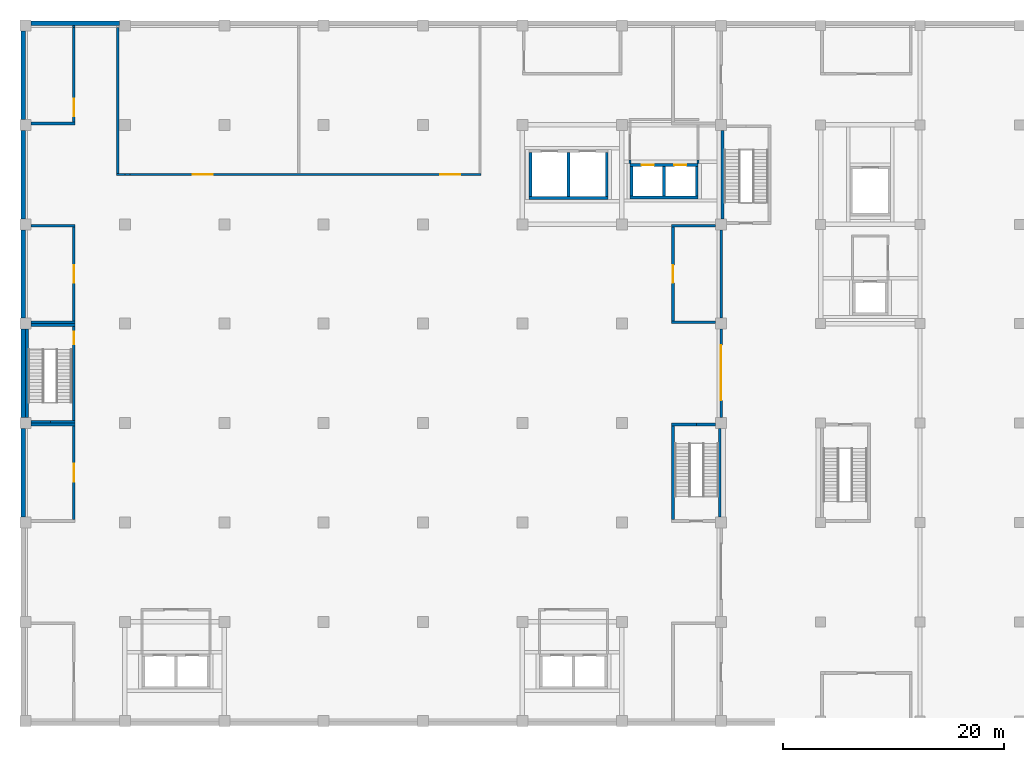
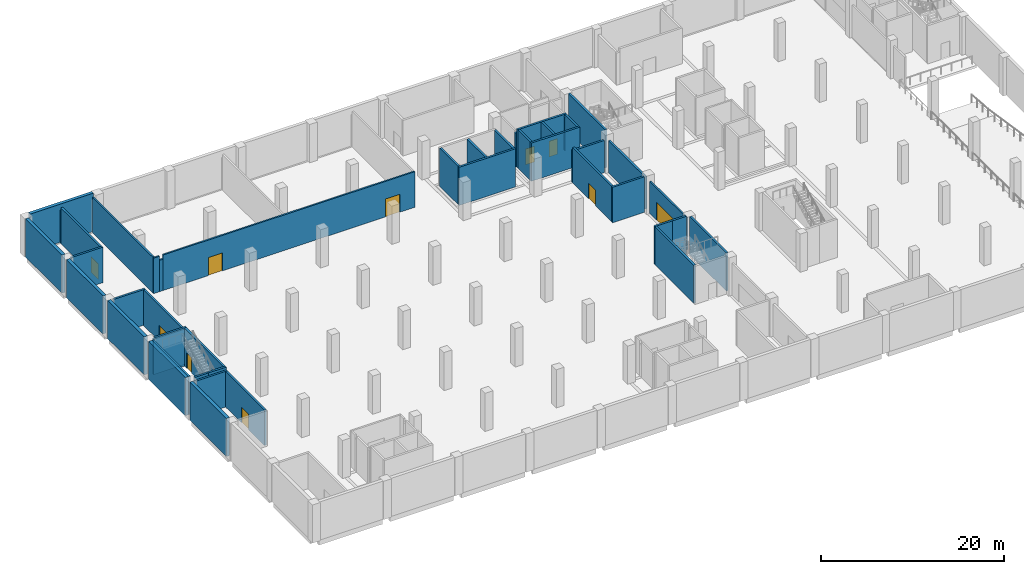
# One storey, part 7 of 16: 44 walls, 10 doors, 10 openings.
"""IFC4 building model written with IfcOpenShell, lengths in metres."""

from ifc_helpers import new_model, si_unit, direction, frame, frame_2d, origin, place, context, subcontext, project, spatial, rectangle, extrude, material, layer, layer_set, type_object, element, fill, save


model = new_model("IFC4")

# Units and contexts
model_context = context("Model", 3, precision=1e-05, world=origin(), true_north=direction((0.0, 1.0)))
body_context = subcontext(model_context, "Body", "Model", "MODEL_VIEW")
ifc_project = project(units=[si_unit("LENGTHUNIT", "METRE"), si_unit("AREAUNIT", "SQUARE_METRE"), si_unit("VOLUMEUNIT", "CUBIC_METRE"), si_unit("PLANEANGLEUNIT", "RADIAN"), si_unit("MASSUNIT", "GRAM", prefix="KILO")], contexts=[model_context])

# Site, building, storey
site_placement = place(None, origin())
site = spatial("IfcSite", under=ifc_project, at=site_placement, CompositionType="ELEMENT")
building_placement = place(site_placement, origin())
building = spatial("IfcBuilding", under=site, at=building_placement, Name="Guidao Yard Department Store", CompositionType="ELEMENT")
storey_placement = place(building_placement, frame((0.0, 0.0, -5.10009765625)))
storey = spatial("IfcBuildingStorey", under=building, at=storey_placement, Name="B1", CompositionType="ELEMENT", Elevation=-5.10009765625)

# Wall, opening, door
ifc_material_1 = material(Name="Autoclaved aerated concrete block A3.5 B06", Category="concrete")
ifc_layer_1 = layer(ifc_material_1, 0.199951171875)
ifc_layer_set_1 = layer_set([ifc_layer_1], Name="Compartment Fire Wall 200 Autoclaved Block EI 180")
wall_type_1 = type_object("IfcWallType", Name="Compartment Fire Wall 200 Autoclaved Block EI 180", PredefinedType="PARTITIONING", material=ifc_layer_set_1)
wall_1_placement = place(storey_placement, frame((63.0, 72.5, 0.0), z_axis=(0.0, 0.0, 1.0), x_axis=(0.0, 1.0, 0.0)))
wall_1 = element("IfcWall", 1, at=wall_1_placement, inside=storey, type_object=wall_type_1, Name="pt.wall.B1.0051", PredefinedType="PARTITIONING", context=body_context, shape_type="SweptSolid", body=[
    extrude(rectangle(XDim=8.0, YDim=0.199951171875, at=frame_2d((4.0, 0.0))), origin(), (0.0, 0.0, 1.0), 4.300048828125),
])
opening_1_placement = place(wall_1_placement, frame((1.550048828125, 0.0, 0.0)))
opening_1 = element("IfcOpeningElement", 2, at=opening_1_placement, cuts=wall_1, Name="Opening B1-427", PredefinedType="OPENING", context=body_context, shape_type="SweptSolid", body=[
    extrude(rectangle(XDim=5.0, YDim=2.39990234375, at=frame_2d((2.5, 1.199951171875))), frame((0.0, 0.10986328125, 0.0), z_axis=(0.0, -1.0, 0.0), x_axis=(1.0, 0.0, 0.0)), (0.0, 0.0, 1.0), 0.219970703125),
])
ifc_material_2 = material(Name="Steel Q235", Category="steel")
door_type_1 = type_object("IfcDoorType", Name="Fire Shutter 5000 x 2400 FD90", OperationType="ROLLINGUP", PredefinedType="DOOR", material=ifc_material_2)
door_1_placement = place(opening_1_placement, origin())
door_1 = element("IfcDoor", 3, at=door_1_placement, inside=storey, type_object=door_type_1, Name="Door B1-427", OperationType="SINGLE_SWING_LEFT", OverallHeight=2.39990234375, OverallWidth=5.0, PredefinedType="DOOR", context=body_context, shape_type="SweptSolid", body=[
    extrude(rectangle(XDim=5.0, YDim=2.39990234375, at=frame_2d((2.5, 1.199951171875))), frame((0.0, 0.02490234375, 0.0), z_axis=(0.0, -1.0, 0.0), x_axis=(1.0, 0.0, 0.0)), (0.0, 0.0, 1.0), 0.050048828125),
])
fill(opening_1, door_1)

# Walls
ifc_material_3 = material(Name="Autoclaved aerated concrete block A3.5 B06", Category="concrete")
ifc_layer_2 = layer(ifc_material_3, 0.199951171875)
ifc_layer_set_2 = layer_set([ifc_layer_2], Name="Fire Wall 200 Autoclaved Block EI 120")
wall_type_2 = type_object("IfcWallType", Name="Fire Wall 200 Autoclaved Block EI 120", PredefinedType="PARTITIONING", material=ifc_layer_set_2)
wall_2_placement = place(storey_placement, frame((8.25, 94.5, 0.0), z_axis=(0.0, 0.0, 1.0), x_axis=(1.0, 0.0, 0.0)))
element("IfcWall", 4, at=wall_2_placement, inside=storey, type_object=wall_type_2, Name="pt.wall.B1.0022", PredefinedType="PARTITIONING", context=body_context, shape_type="SweptSolid", body=[
    extrude(rectangle(XDim=0.75, YDim=0.199951171875, at=frame_2d((0.375, 0.0))), origin(), (0.0, 0.0, 1.0), 4.75),
])
wall_3_placement = place(storey_placement, frame((9.0, 94.5, 0.0), z_axis=(0.0, 0.0, 1.0), x_axis=(1.0, 0.0, 0.0)))
element("IfcWall", 5, at=wall_3_placement, inside=storey, type_object=wall_type_2, Name="pt.wall.B1.0022a", PredefinedType="PARTITIONING", context=body_context, shape_type="SweptSolid", body=[
    extrude(rectangle(XDim=0.449951171875, YDim=0.199951171875, at=frame_2d((0.22509765625, 0.0))), origin(), (0.0, 0.0, 1.0), 4.2001953125),
])

# Wall, openings, doors
wall_4_placement = place(storey_placement, frame((9.449951171875, 94.5, 0.0), z_axis=(0.0, 0.0, 1.0), x_axis=(1.0, 0.0, 0.0)))
wall_4 = element("IfcWall", 6, at=wall_4_placement, inside=storey, type_object=wall_type_2, Name="pt.wall.B1.0022b", PredefinedType="PARTITIONING", context=body_context, shape_type="SweptSolid", body=[
    extrude(rectangle(XDim=31.800048828125, YDim=0.199951171875, at=frame_2d((15.89990234375, 0.0))), origin(), (0.0, 0.0, 1.0), 4.75),
])
opening_2_placement = place(wall_4_placement, frame((5.699951171875, 0.0, 0.0)))
opening_2 = element("IfcOpeningElement", 7, at=opening_2_placement, cuts=wall_4, Name="Opening B1-424", PredefinedType="OPENING", context=body_context, shape_type="SweptSolid", body=[
    extrude(rectangle(XDim=1.800048828125, YDim=2.39990234375, at=frame_2d((0.89990234375, 1.199951171875))), frame((0.0, 0.10986328125, 0.0), z_axis=(0.0, -1.0, 0.0), x_axis=(1.0, 0.0, 0.0)), (0.0, 0.0, 1.0), 0.219970703125),
])
opening_3_placement = place(wall_4_placement, frame((28.10009765625, 0.0, 0.0)))
opening_3 = element("IfcOpeningElement", 8, at=opening_3_placement, cuts=wall_4, Name="Opening B1-425", PredefinedType="OPENING", context=body_context, shape_type="SweptSolid", body=[
    extrude(rectangle(XDim=1.800048828125, YDim=2.39990234375, at=frame_2d((0.89990234375, 1.199951171875))), frame((0.0, 0.10986328125, 0.0), z_axis=(0.0, -1.0, 0.0), x_axis=(1.0, 0.0, 0.0)), (0.0, 0.0, 1.0), 0.219970703125),
])
ifc_material_4 = material(Name="Timber door leaf with Steel Q235 frame", Category="steel")
door_type_2 = type_object("IfcDoorType", Name="Door 1800 x 2400 FD60 Double Leaf", OperationType="DOUBLE_DOOR_SINGLE_SWING", PredefinedType="DOOR", material=ifc_material_4)
door_2_placement = place(opening_2_placement, origin())
door_2 = element("IfcDoor", 9, at=door_2_placement, inside=storey, type_object=door_type_2, Name="Door B1-424", OperationType="DOUBLE_DOOR_SINGLE_SWING", OverallHeight=2.39990234375, OverallWidth=1.800048828125, PredefinedType="DOOR", context=body_context, shape_type="SweptSolid", body=[
    extrude(rectangle(XDim=1.800048828125, YDim=2.39990234375, at=frame_2d((0.89990234375, 1.199951171875))), frame((0.0, 0.02490234375, 0.0), z_axis=(0.0, -1.0, 0.0), x_axis=(1.0, 0.0, 0.0)), (0.0, 0.0, 1.0), 0.050048828125),
])
fill(opening_2, door_2)
door_3_placement = place(opening_3_placement, origin())
door_3 = element("IfcDoor", 10, at=door_3_placement, inside=storey, type_object=door_type_2, Name="Door B1-425", OperationType="DOUBLE_DOOR_SINGLE_SWING", OverallHeight=2.39990234375, OverallWidth=1.800048828125, PredefinedType="DOOR", context=body_context, shape_type="SweptSolid", body=[
    extrude(rectangle(XDim=1.800048828125, YDim=2.39990234375, at=frame_2d((0.89990234375, 1.199951171875))), frame((0.0, 0.02490234375, 0.0), z_axis=(0.0, -1.0, 0.0), x_axis=(1.0, 0.0, 0.0)), (0.0, 0.0, 1.0), 0.050048828125),
])
fill(opening_3, door_3)

# Walls
wall_5_placement = place(storey_placement, frame((8.35009765625, 94.60009765625, 0.0), z_axis=(0.0, 0.0, 1.0), x_axis=(0.0, 1.0, 0.0)))
element("IfcWall", 11, at=wall_5_placement, inside=storey, type_object=wall_type_2, Name="pt.wall.B1.0035", PredefinedType="PARTITIONING", context=body_context, shape_type="SweptSolid", body=[
    extrude(rectangle(XDim=13.199951171875, YDim=0.199951171875, at=frame_2d((6.60009765625, 0.0))), origin(), (0.0, 0.0, 1.0), 4.75),
])
ifc_material_5 = material(Name="Concrete C40", Category="concrete")
ifc_layer_3 = layer(ifc_material_5, 0.39990234375)
ifc_layer_set_3 = layer_set([ifc_layer_3], Name="Retaining wall 400 C40")
wall_type_3 = type_object("IfcWallType", Name="Retaining wall 400 C40", PredefinedType="SOLIDWALL", material=ifc_layer_set_3)
for number, where, z_axis, x_axis, name in (
    (12, (-0.199951171875, 63.5, 0.0), (0.0, 0.0, 1.0), (0.0, 1.0, 0.0), "Retaining wall B1-041"),
    (13, (-0.199951171875, 72.5, 0.0), (0.0, 0.0, 1.0), (0.0, 1.0, 0.0), "Retaining wall B1-043"),
    (14, (-0.199951171875, 81.5, 0.0), (0.0, 0.0, 1.0), (0.0, 1.0, 0.0), "Retaining wall B1-045"),
    (15, (-0.199951171875, 90.5, 0.0), (0.0, 0.0, 1.0), (0.0, 1.0, 0.0), "Retaining wall B1-047"),
    (16, (-0.199951171875, 99.5, 0.0), (0.0, 0.0, 1.0), (0.0, 1.0, 0.0), "Retaining wall B1-049"),
    (17, (0.5, 108.199951171875, 0.0), (0.0, 0.0, 1.0), (1.0, 0.0, 0.0), "Retaining wall B1-050"),
):
    element("IfcWall", number, at=place(storey_placement, frame(where, z_axis=z_axis, x_axis=x_axis)), inside=storey, type_object=wall_type_3, Name=name, PredefinedType="SOLIDWALL", context=body_context, shape_type="SweptSolid", body=[
        extrude(rectangle(XDim=8.0, YDim=0.39990234375, at=frame_2d((4.0, 0.0))), origin(), (0.0, 0.0, 1.0), 5.10009765625),
    ])
ifc_material_6 = material(Name="Autoclaved aerated concrete block A3.5 B06", Category="concrete")
ifc_layer_4 = layer(ifc_material_6, 0.199951171875)
ifc_layer_set_4 = layer_set([ifc_layer_4], Name="Shaft Wall 200 Autoclaved Block EI 120")
wall_type_4 = type_object("IfcWallType", Name="Shaft Wall 200 Autoclaved Block EI 120", PredefinedType="PARTITIONING", material=ifc_layer_set_4)
for number, where, z_axis, x_axis, name in (
    (18, (54.75, 95.5, 0.0), (0.0, 0.0, 1.0), (0.0, 1.0, 0.0), "pt.wall.B1.0044"),
    (19, (60.89990234375, 95.5, 0.0), (0.0, 0.0, 1.0), (0.0, 1.0, 0.0), "pt.wall.B1.0048"),
):
    element("IfcWall", number, at=place(storey_placement, frame(where, z_axis=z_axis, x_axis=x_axis)), inside=storey, type_object=wall_type_4, Name=name, PredefinedType="PARTITIONING", context=body_context, shape_type="SweptSolid", body=[
        extrude(rectangle(XDim=0.300048828125, YDim=0.199951171875, at=frame_2d((0.14990234375, 0.0))), origin(), (0.0, 0.0, 1.0), 4.5),
    ])
ifc_material_7 = material(Name="Concrete C40", Category="concrete")
ifc_layer_5 = layer(ifc_material_7, 0.25)
ifc_layer_set_5 = layer_set([ifc_layer_5], Name="Support Wall 250 Concrete C40")
wall_type_5 = type_object("IfcWallType", Name="Support Wall 250 Concrete C40", PredefinedType="SOLIDWALL", material=ifc_layer_set_5)
for number, where, z_axis, x_axis, name in (
    (20, (0.5, 71.875, 0.0), (0.0, 0.0, 1.0), (1.0, 0.0, 0.0), "pt.wall.B1.0016"),
    (21, (0.5, 81.125, 0.0), (0.0, 0.0, 1.0), (1.0, 0.0, 0.0), "pt.wall.B1.0017"),
    (22, (58.5, 81.125, 0.0), (0.0, 0.0, 1.0), (1.0, 0.0, 0.0), "pt.wall.B1.0018"),
    (23, (0.5, 89.875, 0.0), (0.0, 0.0, 1.0), (1.0, 0.0, 0.0), "pt.wall.B1.0020"),
):
    element("IfcWall", number, at=place(storey_placement, frame(where, z_axis=z_axis, x_axis=x_axis)), inside=storey, type_object=wall_type_5, Name=name, PredefinedType="SOLIDWALL", context=body_context, shape_type="SweptSolid", body=[
        extrude(rectangle(XDim=4.0, YDim=0.25, at=frame_2d((2.0, 0.0))), origin(), (0.0, 0.0, 1.0), 4.75),
    ])
wall_6_placement = place(storey_placement, frame((58.5, 89.875, 0.0), z_axis=(0.0, 0.0, 1.0), x_axis=(1.0, 0.0, 0.0)))
element("IfcWall", 24, at=wall_6_placement, inside=storey, type_object=wall_type_5, Name="pt.wall.B1.0021", PredefinedType="SOLIDWALL", context=body_context, shape_type="SweptSolid", body=[
    extrude(rectangle(XDim=4.0, YDim=0.25, at=frame_2d((2.0, 0.0))), origin(), (0.0, 0.0, 1.0), 4.300048828125),
])
wall_7_placement = place(storey_placement, frame((0.5, 99.125, 0.0), z_axis=(0.0, 0.0, 1.0), x_axis=(1.0, 0.0, 0.0)))
element("IfcWall", 25, at=wall_7_placement, inside=storey, type_object=wall_type_5, Name="pt.wall.B1.0023", PredefinedType="SOLIDWALL", context=body_context, shape_type="SweptSolid", body=[
    extrude(rectangle(XDim=4.0, YDim=0.25, at=frame_2d((2.0, 0.0))), origin(), (0.0, 0.0, 1.0), 4.75),
])

# Wall, opening, door
wall_8_placement = place(storey_placement, frame((4.375, 63.25, 0.0), z_axis=(0.0, 0.0, 1.0), x_axis=(0.0, 1.0, 0.0)))
wall_8 = element("IfcWall", 26, at=wall_8_placement, inside=storey, type_object=wall_type_5, Name="pt.wall.B1.0032", PredefinedType="SOLIDWALL", context=body_context, shape_type="SweptSolid", body=[
    extrude(rectangle(XDim=8.75, YDim=0.25, at=frame_2d((4.375, 0.0))), origin(), (0.0, 0.0, 1.0), 4.75),
])
opening_4_placement = place(wall_8_placement, frame((3.449951171875, 0.0, 0.0)))
opening_4 = element("IfcOpeningElement", 27, at=opening_4_placement, cuts=wall_8, Name="Opening B1-404", PredefinedType="OPENING", context=body_context, shape_type="SweptSolid", body=[
    extrude(rectangle(XDim=1.60009765625, YDim=2.10009765625, at=frame_2d((0.800048828125, 1.050048828125))), frame((0.0, 0.135009765625, 0.0), z_axis=(0.0, -1.0, 0.0), x_axis=(1.0, 0.0, 0.0)), (0.0, 0.0, 1.0), 0.27001953125),
])
ifc_material_8 = material(Name="Timber door leaf with Steel Q235 frame", Category="steel")
door_type_3 = type_object("IfcDoorType", Name="Door 1600 x 2100 FD60 Double Leaf", OperationType="DOUBLE_DOOR_SINGLE_SWING", PredefinedType="DOOR", material=ifc_material_8)
door_4_placement = place(opening_4_placement, origin())
door_4 = element("IfcDoor", 28, at=door_4_placement, inside=storey, type_object=door_type_3, Name="Door B1-404", OperationType="DOUBLE_DOOR_SINGLE_SWING", OverallHeight=2.10009765625, OverallWidth=1.60009765625, PredefinedType="DOOR", context=body_context, shape_type="SweptSolid", body=[
    extrude(rectangle(XDim=1.60009765625, YDim=2.10009765625, at=frame_2d((0.800048828125, 1.050048828125))), frame((0.0, 0.02490234375, 0.0), z_axis=(0.0, -1.0, 0.0), x_axis=(1.0, 0.0, 0.0)), (0.0, 0.0, 1.0), 0.050048828125),
])
fill(opening_4, door_4)

wall_9_placement = place(storey_placement, frame((4.375, 81.0, 0.0), z_axis=(0.0, 0.0, 1.0), x_axis=(0.0, 1.0, 0.0)))
wall_9 = element("IfcWall", 29, at=wall_9_placement, inside=storey, type_object=wall_type_5, Name="pt.wall.B1.0033", PredefinedType="SOLIDWALL", context=body_context, shape_type="SweptSolid", body=[
    extrude(rectangle(XDim=8.75, YDim=0.25, at=frame_2d((4.375, 0.0))), origin(), (0.0, 0.0, 1.0), 4.75),
])
opening_5_placement = place(wall_9_placement, frame((3.699951171875, 0.0, 0.0)))
opening_5 = element("IfcOpeningElement", 30, at=opening_5_placement, cuts=wall_9, Name="Opening B1-406", PredefinedType="OPENING", context=body_context, shape_type="SweptSolid", body=[
    extrude(rectangle(XDim=1.60009765625, YDim=2.10009765625, at=frame_2d((0.800048828125, 1.050048828125))), frame((0.0, 0.135009765625, 0.0), z_axis=(0.0, -1.0, 0.0), x_axis=(1.0, 0.0, 0.0)), (0.0, 0.0, 1.0), 0.27001953125),
])
door_5_placement = place(opening_5_placement, origin())
door_5 = element("IfcDoor", 31, at=door_5_placement, inside=storey, type_object=door_type_3, Name="Door B1-406", OperationType="DOUBLE_DOOR_SINGLE_SWING", OverallHeight=2.10009765625, OverallWidth=1.60009765625, PredefinedType="DOOR", context=body_context, shape_type="SweptSolid", body=[
    extrude(rectangle(XDim=1.60009765625, YDim=2.10009765625, at=frame_2d((0.800048828125, 1.050048828125))), frame((0.0, 0.02490234375, 0.0), z_axis=(0.0, -1.0, 0.0), x_axis=(1.0, 0.0, 0.0)), (0.0, 0.0, 1.0), 0.050048828125),
])
fill(opening_5, door_5)

wall_10_placement = place(storey_placement, frame((4.375, 99.25, 0.0), z_axis=(0.0, 0.0, 1.0), x_axis=(0.0, 1.0, 0.0)))
wall_10 = element("IfcWall", 32, at=wall_10_placement, inside=storey, type_object=wall_type_5, Name="pt.wall.B1.0034", PredefinedType="SOLIDWALL", context=body_context, shape_type="SweptSolid", body=[
    extrude(rectangle(XDim=8.550048828125, YDim=0.25, at=frame_2d((4.27490234375, 0.0))), origin(), (0.0, 0.0, 1.0), 4.75),
])
opening_6_placement = place(wall_10_placement, frame((0.512451171875, 0.0, 0.0)))
opening_6 = element("IfcOpeningElement", 33, at=opening_6_placement, cuts=wall_10, Name="Opening B1-408", PredefinedType="OPENING", context=body_context, shape_type="SweptSolid", body=[
    extrude(rectangle(XDim=1.60009765625, YDim=2.10009765625, at=frame_2d((0.800048828125, 1.050048828125))), frame((0.0, 0.135009765625, 0.0), z_axis=(0.0, -1.0, 0.0), x_axis=(1.0, 0.0, 0.0)), (0.0, 0.0, 1.0), 0.27001953125),
])
door_6_placement = place(opening_6_placement, origin())
door_6 = element("IfcDoor", 34, at=door_6_placement, inside=storey, type_object=door_type_3, Name="Door B1-408", OperationType="DOUBLE_DOOR_SINGLE_SWING", OverallHeight=2.10009765625, OverallWidth=1.60009765625, PredefinedType="DOOR", context=body_context, shape_type="SweptSolid", body=[
    extrude(rectangle(XDim=1.60009765625, YDim=2.10009765625, at=frame_2d((0.800048828125, 1.050048828125))), frame((0.0, 0.02490234375, 0.0), z_axis=(0.0, -1.0, 0.0), x_axis=(1.0, 0.0, 0.0)), (0.0, 0.0, 1.0), 0.050048828125),
])
fill(opening_6, door_6)

# Wall
wall_11_placement = place(storey_placement, frame((4.375, 107.800048828125, 0.0), z_axis=(0.0, 0.0, 1.0), x_axis=(0.0, 1.0, 0.0)))
element("IfcWall", 35, at=wall_11_placement, inside=storey, type_object=wall_type_5, Name="pt.wall.B1.0034a", PredefinedType="SOLIDWALL", context=body_context, shape_type="SweptSolid", body=[
    extrude(rectangle(XDim=0.199951171875, YDim=0.25, at=frame_2d((0.10009765625, 0.0))), origin(), (0.0, 0.0, 1.0), 4.300048828125),
])

# Wall, opening, door
wall_12_placement = place(storey_placement, frame((58.625, 81.25, 0.0), z_axis=(0.0, 0.0, 1.0), x_axis=(0.0, 1.0, 0.0)))
wall_12 = element("IfcWall", 36, at=wall_12_placement, inside=storey, type_object=wall_type_5, Name="pt.wall.B1.0046", PredefinedType="SOLIDWALL", context=body_context, shape_type="SweptSolid", body=[
    extrude(rectangle(XDim=8.5, YDim=0.25, at=frame_2d((4.25, 0.0))), origin(), (0.0, 0.0, 1.0), 4.75),
])
opening_7_placement = place(wall_12_placement, frame((5.050048828125, 0.0, 0.0), z_axis=(0.0, 0.0, 1.0), x_axis=(-1.0, 0.0, 0.0)))
opening_7 = element("IfcOpeningElement", 37, at=opening_7_placement, cuts=wall_12, Name="Opening B1-407", PredefinedType="OPENING", context=body_context, shape_type="SweptSolid", body=[
    extrude(rectangle(XDim=1.60009765625, YDim=2.10009765625, at=frame_2d((0.800048828125, 1.050048828125))), frame((0.0, 0.135009765625, 0.0), z_axis=(0.0, -1.0, 0.0), x_axis=(1.0, 0.0, 0.0)), (0.0, 0.0, 1.0), 0.27001953125),
])
door_7_placement = place(opening_7_placement, origin())
door_7 = element("IfcDoor", 38, at=door_7_placement, inside=storey, type_object=door_type_3, Name="Door B1-407", OperationType="DOUBLE_DOOR_SINGLE_SWING", OverallHeight=2.10009765625, OverallWidth=1.60009765625, PredefinedType="DOOR", context=body_context, shape_type="SweptSolid", body=[
    extrude(rectangle(XDim=1.60009765625, YDim=2.10009765625, at=frame_2d((0.800048828125, 1.050048828125))), frame((0.0, 0.02490234375, 0.0), z_axis=(0.0, -1.0, 0.0), x_axis=(1.0, 0.0, 0.0)), (0.0, 0.0, 1.0), 0.050048828125),
])
fill(opening_7, door_7)

# Walls
wall_13_placement = place(storey_placement, frame((63.0, 81.5, 0.0), z_axis=(0.0, 0.0, 1.0), x_axis=(0.0, 1.0, 0.0)))
element("IfcWall", 39, at=wall_13_placement, inside=storey, type_object=wall_type_5, Name="pt.wall.B1.0052", PredefinedType="SOLIDWALL", context=body_context, shape_type="SweptSolid", body=[
    extrude(rectangle(XDim=8.0, YDim=0.25, at=frame_2d((4.0, 0.0))), origin(), (0.0, 0.0, 1.0), 4.300048828125),
])
ifc_material_9 = material(Name="Concrete C40", Category="concrete")
ifc_layer_6 = layer(ifc_material_9, 0.25)
ifc_layer_set_6 = layer_set([ifc_layer_6], Name="Wall RC 250 C40 stair and shaft")
wall_type_6 = type_object("IfcWallType", Name="Wall RC 250 C40 stair and shaft", PredefinedType="SHEAR", material=ifc_layer_set_6)
wall_14_placement = place(storey_placement, frame((0.5, 72.125, 0.0), z_axis=(0.0, 0.0, 1.0), x_axis=(1.0, 0.0, 0.0)))
element("IfcWall", 40, at=wall_14_placement, inside=storey, type_object=wall_type_6, Name="Stair wall BSH1", PredefinedType="SHEAR", context=body_context, shape_type="SweptSolid", body=[
    extrude(rectangle(XDim=1.75, YDim=0.25, at=frame_2d((0.875, 0.0))), origin(), (0.0, 0.0, 1.0), 5.10009765625),
])
wall_15_placement = place(storey_placement, frame((2.25, 72.125, 0.0), z_axis=(0.0, 0.0, 1.0), x_axis=(1.0, 0.0, 0.0)))
element("IfcWall", 41, at=wall_15_placement, inside=storey, type_object=wall_type_6, Name="Stair wall BSH1", PredefinedType="SHEAR", context=body_context, shape_type="SweptSolid", body=[
    extrude(rectangle(XDim=2.25, YDim=0.25, at=frame_2d((1.125, 0.0))), origin(), (0.0, 0.0, 1.0), 5.10009765625),
])
wall_16_placement = place(storey_placement, frame((0.5, 80.875, 0.0), z_axis=(0.0, 0.0, 1.0), x_axis=(1.0, 0.0, 0.0)))
element("IfcWall", 42, at=wall_16_placement, inside=storey, type_object=wall_type_6, Name="Stair wall BSH1", PredefinedType="SHEAR", context=body_context, shape_type="SweptSolid", body=[
    extrude(rectangle(XDim=4.0, YDim=0.25, at=frame_2d((2.0, 0.0))), origin(), (0.0, 0.0, 1.0), 5.10009765625),
])
wall_17_placement = place(storey_placement, frame((0.125, 72.5, 0.0), z_axis=(0.0, 0.0, 1.0), x_axis=(0.0, 1.0, 0.0)))
element("IfcWall", 43, at=wall_17_placement, inside=storey, type_object=wall_type_6, Name="Stair wall BSH1", PredefinedType="SHEAR", context=body_context, shape_type="SweptSolid", body=[
    extrude(rectangle(XDim=8.0, YDim=0.25, at=frame_2d((4.0, 0.0))), origin(), (0.0, 0.0, 1.0), 5.10009765625),
])

# Wall, opening, door
wall_18_placement = place(storey_placement, frame((4.375, 72.25, 0.0), z_axis=(0.0, 0.0, 1.0), x_axis=(0.0, 1.0, 0.0)))
wall_18 = element("IfcWall", 44, at=wall_18_placement, inside=storey, type_object=wall_type_6, Name="Stair wall BSH1", PredefinedType="SHEAR", context=body_context, shape_type="SweptSolid", body=[
    extrude(rectangle(XDim=8.5, YDim=0.25, at=frame_2d((4.25, 0.0))), origin(), (0.0, 0.0, 1.0), 5.10009765625),
])
opening_8_placement = place(wall_18_placement, frame((8.0, 0.0, 0.0), z_axis=(0.0, 0.0, 1.0), x_axis=(-1.0, 0.0, 0.0)))
opening_8 = element("IfcOpeningElement", 45, at=opening_8_placement, cuts=wall_18, Name="Opening B1-802", PredefinedType="OPENING", context=body_context, shape_type="SweptSolid", body=[
    extrude(rectangle(XDim=1.10009765625, YDim=2.10009765625, at=frame_2d((0.550048828125, 1.050048828125))), frame((0.0, 0.135009765625, 0.0), z_axis=(0.0, -1.0, 0.0), x_axis=(1.0, 0.0, 0.0)), (0.0, 0.0, 1.0), 0.27001953125),
])
ifc_material_10 = material(Name="Steel Q235", Category="steel")
door_type_4 = type_object("IfcDoorType", Name="Door fire-resisting 1100 x 2100 FD60", OperationType="SINGLE_SWING_LEFT", PredefinedType="DOOR", material=ifc_material_10)
door_8_placement = place(opening_8_placement, origin())
door_8 = element("IfcDoor", 46, at=door_8_placement, inside=storey, type_object=door_type_4, Name="Basement stair H1 door B1", OperationType="SINGLE_SWING_LEFT", OverallHeight=2.10009765625, OverallWidth=1.10009765625, PredefinedType="DOOR", context=body_context, shape_type="SweptSolid", body=[
    extrude(rectangle(XDim=1.10009765625, YDim=2.10009765625, at=frame_2d((0.550048828125, 1.050048828125))), frame((0.0, 0.02490234375, 0.0), z_axis=(0.0, -1.0, 0.0), x_axis=(1.0, 0.0, 0.0)), (0.0, 0.0, 1.0), 0.050048828125),
])
fill(opening_8, door_8)

# Walls
wall_19_placement = place(storey_placement, frame((63.125, 90.5, 0.0), z_axis=(0.0, 0.0, 1.0), x_axis=(0.0, 1.0, 0.0)))
element("IfcWall", 47, at=wall_19_placement, inside=storey, type_object=wall_type_6, Name="Stair wall BSH2", PredefinedType="SHEAR", context=body_context, shape_type="SweptSolid", body=[
    extrude(rectangle(XDim=8.0, YDim=0.25, at=frame_2d((4.0, 0.0))), origin(), (0.0, 0.0, 1.0), 5.10009765625),
])
wall_20_placement = place(storey_placement, frame((58.5, 71.875, 0.0), z_axis=(0.0, 0.0, 1.0), x_axis=(1.0, 0.0, 0.0)))
element("IfcWall", 48, at=wall_20_placement, inside=storey, type_object=wall_type_6, Name="Stair wall BSH3", PredefinedType="SHEAR", context=body_context, shape_type="SweptSolid", body=[
    extrude(rectangle(XDim=2.25, YDim=0.25, at=frame_2d((1.125, 0.0))), origin(), (0.0, 0.0, 1.0), 5.10009765625),
])
wall_21_placement = place(storey_placement, frame((60.75, 71.875, 0.0), z_axis=(0.0, 0.0, 1.0), x_axis=(1.0, 0.0, 0.0)))
element("IfcWall", 49, at=wall_21_placement, inside=storey, type_object=wall_type_6, Name="Stair wall BSH3", PredefinedType="SHEAR", context=body_context, shape_type="SweptSolid", body=[
    extrude(rectangle(XDim=1.75, YDim=0.25, at=frame_2d((0.875, 0.0))), origin(), (0.0, 0.0, 1.0), 5.10009765625),
])
wall_22_placement = place(storey_placement, frame((58.625, 63.25, 0.0), z_axis=(0.0, 0.0, 1.0), x_axis=(0.0, 1.0, 0.0)))
element("IfcWall", 50, at=wall_22_placement, inside=storey, type_object=wall_type_6, Name="Stair wall BSH3", PredefinedType="SHEAR", context=body_context, shape_type="SweptSolid", body=[
    extrude(rectangle(XDim=8.5, YDim=0.25, at=frame_2d((4.25, 0.0))), origin(), (0.0, 0.0, 1.0), 5.10009765625),
])
wall_23_placement = place(storey_placement, frame((62.875, 63.5, 0.0), z_axis=(0.0, 0.0, 1.0), x_axis=(0.0, 1.0, 0.0)))
element("IfcWall", 51, at=wall_23_placement, inside=storey, type_object=wall_type_6, Name="Stair wall BSH3", PredefinedType="SHEAR", context=body_context, shape_type="SweptSolid", body=[
    extrude(rectangle(XDim=8.0, YDim=0.25, at=frame_2d((4.0, 0.0))), origin(), (0.0, 0.0, 1.0), 5.10009765625),
])
wall_24_placement = place(storey_placement, frame((45.60009765625, 92.375, 0.0), z_axis=(0.0, 0.0, 1.0), x_axis=(1.0, 0.0, 0.0)))
element("IfcWall", 52, at=wall_24_placement, inside=storey, type_object=wall_type_6, Name="Lift shaft wall HG1 to HG2", PredefinedType="SHEAR", context=body_context, shape_type="SweptSolid", body=[
    extrude(rectangle(XDim=7.14990234375, YDim=0.25, at=frame_2d((3.574951171875, 0.0))), origin(), (0.0, 0.0, 1.0), 5.10009765625),
])
for number, where, z_axis, x_axis, name in (
    (53, (45.72509765625, 92.5, 0.0), (0.0, 0.0, 1.0), (0.0, 1.0, 0.0), "Lift shaft wall HG1 to HG2"),
    (54, (49.175048828125, 92.5, 0.0), (0.0, 0.0, 1.0), (0.0, 1.0, 0.0), "Lift shaft wall HG1 to HG2"),
    (55, (52.625, 92.5, 0.0), (0.0, 0.0, 1.0), (0.0, 1.0, 0.0), "Lift shaft wall HG1 to HG2"),
):
    element("IfcWall", number, at=place(storey_placement, frame(where, z_axis=z_axis, x_axis=x_axis)), inside=storey, type_object=wall_type_6, Name=name, PredefinedType="SHEAR", context=body_context, shape_type="SweptSolid", body=[
        extrude(rectangle(XDim=4.0, YDim=0.25, at=frame_2d((2.0, 0.0))), origin(), (0.0, 0.0, 1.0), 5.10009765625),
    ])

# Wall, openings, doors
wall_25_placement = place(storey_placement, frame((54.75, 95.375, 0.0), z_axis=(0.0, 0.0, 1.0), x_axis=(1.0, 0.0, 0.0)))
wall_25 = element("IfcWall", 56, at=wall_25_placement, inside=storey, type_object=wall_type_6, Name="Lift shaft wall HF1 to HF2", PredefinedType="SHEAR", context=body_context, shape_type="SweptSolid", body=[
    extrude(rectangle(XDim=6.14990234375, YDim=0.25, at=frame_2d((3.074951171875, 0.0))), origin(), (0.0, 0.0, 1.0), 5.10009765625),
])
opening_9_placement = place(wall_25_placement, frame((1.050048828125, 0.0, 0.0)))
opening_9 = element("IfcOpeningElement", 57, at=opening_9_placement, cuts=wall_25, Name="Opening LD-HF1-B1", PredefinedType="OPENING", context=body_context, shape_type="SweptSolid", body=[
    extrude(rectangle(XDim=1.10009765625, YDim=2.10009765625, at=frame_2d((0.550048828125, 1.050048828125))), frame((0.0, 0.135009765625, 0.0), z_axis=(0.0, -1.0, 0.0), x_axis=(1.0, 0.0, 0.0)), (0.0, 0.0, 1.0), 0.27001953125),
])
opening_10_placement = place(wall_25_placement, frame((4.0, 0.0, 0.0)))
opening_10 = element("IfcOpeningElement", 58, at=opening_10_placement, cuts=wall_25, Name="Opening LD-HF2-B1", PredefinedType="OPENING", context=body_context, shape_type="SweptSolid", body=[
    extrude(rectangle(XDim=1.10009765625, YDim=2.10009765625, at=frame_2d((0.550048828125, 1.050048828125))), frame((0.0, 0.135009765625, 0.0), z_axis=(0.0, -1.0, 0.0), x_axis=(1.0, 0.0, 0.0)), (0.0, 0.0, 1.0), 0.27001953125),
])
ifc_material_11 = material(Name="Stainless steel 06Cr19Ni10", Category="steel")
door_type_5 = type_object("IfcDoorType", Name="Lift landing door fire-resisting sliding 1100 x 2100", OperationType="DOUBLE_DOOR_SLIDING", PredefinedType="DOOR", material=ifc_material_11)
door_9_placement = place(opening_9_placement, origin())
door_9 = element("IfcDoor", 59, at=door_9_placement, inside=storey, type_object=door_type_5, Name="Lift landing door HF1 B1", OperationType="DOUBLE_DOOR_SLIDING", OverallHeight=2.10009765625, OverallWidth=1.10009765625, PredefinedType="DOOR", context=body_context, shape_type="SweptSolid", body=[
    extrude(rectangle(XDim=1.10009765625, YDim=2.10009765625, at=frame_2d((0.550048828125, 1.050048828125))), frame((0.0, 0.02490234375, 0.0), z_axis=(0.0, -1.0, 0.0), x_axis=(1.0, 0.0, 0.0)), (0.0, 0.0, 1.0), 0.050048828125),
])
fill(opening_9, door_9)
door_10_placement = place(opening_10_placement, origin())
door_10 = element("IfcDoor", 60, at=door_10_placement, inside=storey, type_object=door_type_5, Name="Lift landing door HF2 B1", OperationType="DOUBLE_DOOR_SLIDING", OverallHeight=2.10009765625, OverallWidth=1.10009765625, PredefinedType="DOOR", context=body_context, shape_type="SweptSolid", body=[
    extrude(rectangle(XDim=1.10009765625, YDim=2.10009765625, at=frame_2d((0.550048828125, 1.050048828125))), frame((0.0, 0.02490234375, 0.0), z_axis=(0.0, -1.0, 0.0), x_axis=(1.0, 0.0, 0.0)), (0.0, 0.0, 1.0), 0.050048828125),
])
fill(opening_10, door_10)

# Walls
wall_26_placement = place(storey_placement, frame((54.75, 92.425048828125, 0.0), z_axis=(0.0, 0.0, 1.0), x_axis=(1.0, 0.0, 0.0)))
element("IfcWall", 61, at=wall_26_placement, inside=storey, type_object=wall_type_6, Name="Lift shaft wall HF1 to HF2", PredefinedType="SHEAR", context=body_context, shape_type="SweptSolid", body=[
    extrude(rectangle(XDim=6.14990234375, YDim=0.25, at=frame_2d((3.074951171875, 0.0))), origin(), (0.0, 0.0, 1.0), 5.10009765625),
])
for number, where, z_axis, x_axis, name in (
    (62, (54.875, 92.550048828125, 0.0), (0.0, 0.0, 1.0), (0.0, 1.0, 0.0), "Lift shaft wall HF1 to HF2"),
    (63, (57.824951171875, 92.550048828125, 0.0), (0.0, 0.0, 1.0), (0.0, 1.0, 0.0), "Lift shaft wall HF1 to HF2"),
    (64, (60.77490234375, 92.550048828125, 0.0), (0.0, 0.0, 1.0), (0.0, 1.0, 0.0), "Lift shaft wall HF1 to HF2"),
):
    element("IfcWall", number, at=place(storey_placement, frame(where, z_axis=z_axis, x_axis=x_axis)), inside=storey, type_object=wall_type_6, Name=name, PredefinedType="SHEAR", context=body_context, shape_type="SweptSolid", body=[
        extrude(rectangle(XDim=2.699951171875, YDim=0.25, at=frame_2d((1.35009765625, 0.0))), origin(), (0.0, 0.0, 1.0), 5.10009765625),
    ])

save(model, "model.ifc")
